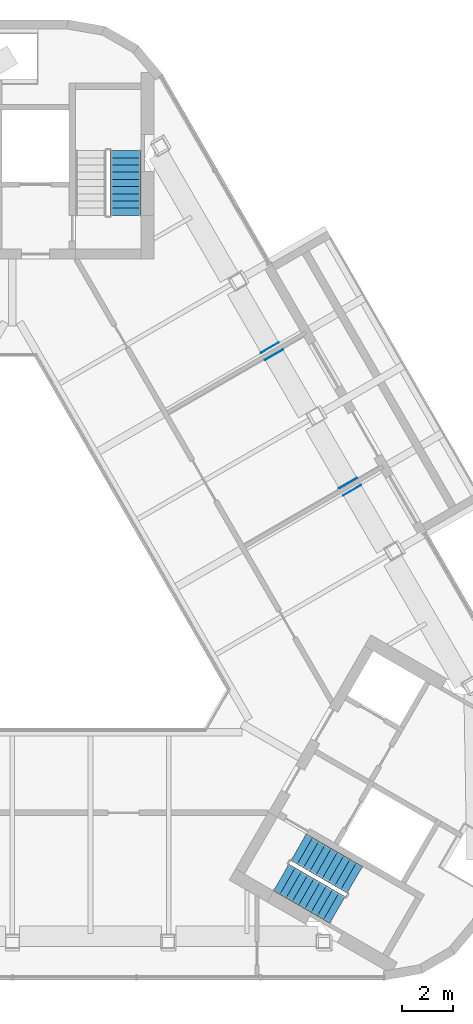
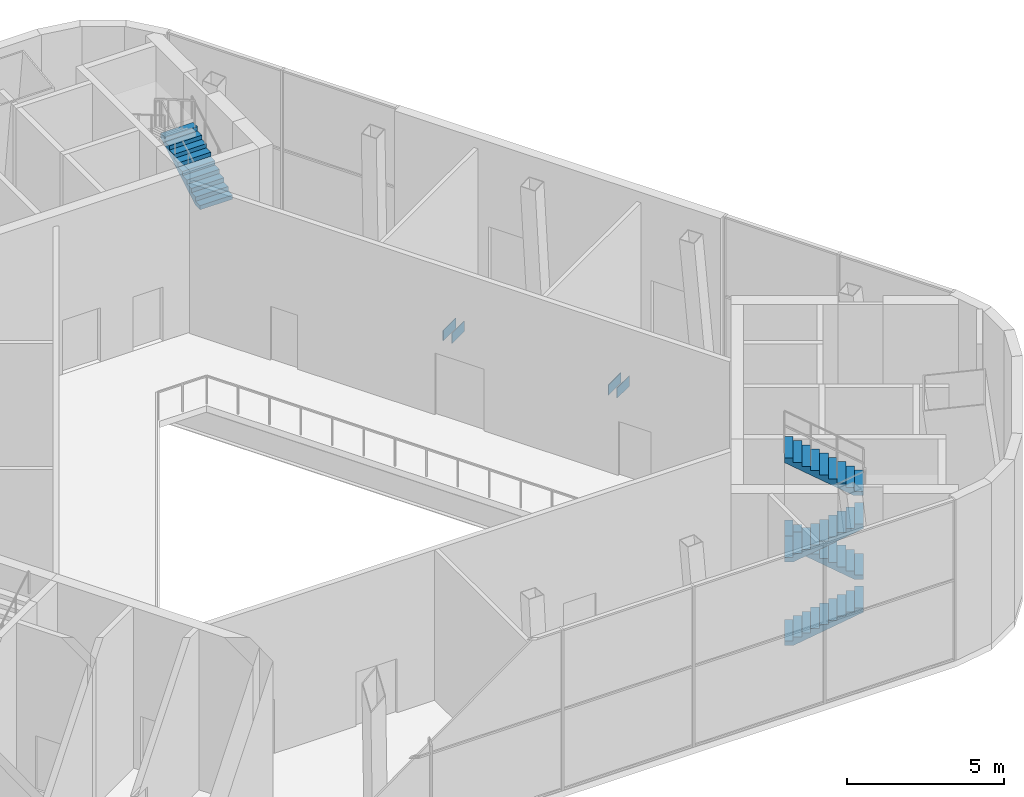
# One storey, part 10 of 12: 5 stair flights, 4 discrete accessories, 2 elements without a shape of their own.
"""IFC4 building model written with IfcOpenShell, lengths in metres."""

import ifcopenshell
import ifcopenshell.guid

model = None  # the IFC model being written
_history = None  # IfcOwnerHistory: only IFC2X3 demands one
_inside = {}  # id of a spatial element -> (the spatial element, [elements in it])
_under = {}  # id of a project, library or spatial element -> (it, [spatial elements below it])
_declared = {}  # id of a project -> (the project, [libraries it declares])
_typed = {}  # id of a type object -> (the type object, [elements of that type])
_made_of = {}  # id of a material, layer set ... -> (it, [elements and type objects made of it])


def new_model(schema):
    """Start an empty IFC model of exactly this schema.

    Asked for "IFC4X3", IfcOpenShell would pick the latest addendum, in which some entities
    have other attributes; the version numbers below select the first issue.
    IFC2X3 requires an IfcOwnerHistory on every rooted entity: one is made here for all.
    """
    global model, _history
    if schema == "IFC4X3":
        model = ifcopenshell.file(schema_version=(4, 3, 0, 0))
    else:
        model = ifcopenshell.file(schema=schema)
    _inside.clear()
    _under.clear()
    _declared.clear()
    _typed.clear()
    _made_of.clear()
    _history = None
    if model.schema == "IFC2X3":
        org = make("IfcOrganization", Name="unknown")
        user = make(
            "IfcPersonAndOrganization",
            ThePerson=make("IfcPerson", FamilyName="unknown"),
            TheOrganization=org,
        )
        app = make(
            "IfcApplication",
            ApplicationDeveloper=org,
            Version="unknown",
            ApplicationFullName="unknown",
            ApplicationIdentifier="unknown",
        )
        _history = make(
            "IfcOwnerHistory",
            OwningUser=user,
            OwningApplication=app,
            ChangeAction="ADDED",
            CreationDate=0,
        )
    return model


def make(cls, **values):
    """One entity of the class cls with the attributes given. An attribute that is None is left unset."""
    return model.create_entity(
        cls, **{name: value for name, value in values.items() if value is not None}
    )


def rooted(cls, **values):
    """An entity with a GlobalId (a new one), such as an element, a storey or a relation."""
    return make(cls, GlobalId=ifcopenshell.guid.new(), OwnerHistory=_history, **values)


def si_unit(unit_type, name, prefix=None):
    """IfcSIUnit, for example si_unit("LENGTHUNIT", "METRE", prefix="MILLI")."""
    return make("IfcSIUnit", UnitType=unit_type, Prefix=prefix, Name=name)


def assignment(units):
    """IfcUnitAssignment: the units of a project."""
    return None if units is None else make("IfcUnitAssignment", Units=units)


def point(xyz):
    """IfcCartesianPoint."""
    return None if xyz is None else make("IfcCartesianPoint", Coordinates=xyz)


def direction(xyz):
    """IfcDirection."""
    return None if xyz is None else make("IfcDirection", DirectionRatios=xyz)


def frame(location, z_axis=None, x_axis=None):
    """IfcAxis2Placement3D, a coordinate frame: its origin and axes. An axis left out is left unset."""
    return make(
        "IfcAxis2Placement3D",
        Location=point(location),
        Axis=direction(z_axis),
        RefDirection=direction(x_axis),
    )


def frame_2d(location, x_axis=None):
    """IfcAxis2Placement2D, a coordinate frame in the plane: its origin and x axis."""
    return make(
        "IfcAxis2Placement2D", Location=point(location), RefDirection=direction(x_axis)
    )


def origin():
    """The frame at (0, 0, 0) with its axes left unset."""
    return frame((0.0, 0.0, 0.0))


def origin_2d():
    """The frame at (0, 0) in the plane with its x axis left unset."""
    return frame_2d((0.0, 0.0))


def place(relative_to, where):
    """IfcLocalPlacement: puts the frame where relative to a parent placement (None: the world)."""
    return make(
        "IfcLocalPlacement", PlacementRelTo=relative_to, RelativePlacement=where
    )


def context(
    kind, dimensions, precision=None, world=None, true_north=None, identifier=None
):
    """IfcGeometricRepresentationContext, for example the 3D "Model" context."""
    return make(
        "IfcGeometricRepresentationContext",
        ContextIdentifier=identifier,
        ContextType=kind,
        CoordinateSpaceDimension=dimensions,
        Precision=precision,
        WorldCoordinateSystem=world,
        TrueNorth=true_north,
    )


def subcontext(parent, identifier, kind, view, scale=None):
    """IfcGeometricRepresentationSubContext, for example "Body" below "Model"."""
    return make(
        "IfcGeometricRepresentationSubContext",
        ContextIdentifier=identifier,
        ContextType=kind,
        ParentContext=parent,
        TargetScale=scale,
        TargetView=view,
    )


def project(units=None, contexts=None):
    """IfcProject with its units and contexts."""
    return rooted(
        "IfcProject",
        Name="project",
        RepresentationContexts=contexts,
        UnitsInContext=assignment(units),
    )


def spatial(cls, under=None, at=None, **own):
    """A site, building, storey or space (cls), placed at a placement, below another one or the project."""
    s = rooted(cls, ObjectPlacement=at, **own)
    if under is not None:
        _under.setdefault(under.id(), (under, []))[1].append(s)
    return s


def polyline(points):
    """IfcPolyline through the points."""
    return make("IfcPolyline", Points=[point(p) for p in points])


def profile(cls, at=None, kind="AREA", **sizes):
    """A parametric profile (cls). Its sizes go by their IFC names, for example OverallWidth=200.0."""
    return make(cls, ProfileType=kind, Position=at, **sizes)


def rectangle(**sizes):
    """IfcRectangleProfileDef."""
    return profile("IfcRectangleProfileDef", **sizes)


def outline(outer, holes=None, kind="AREA"):
    """IfcArbitraryClosedProfileDef: a profile drawn as a closed curve; with holes, ...WithVoids."""
    if holes is None:
        return make("IfcArbitraryClosedProfileDef", ProfileType=kind, OuterCurve=outer)
    return make(
        "IfcArbitraryProfileDefWithVoids",
        ProfileType=kind,
        OuterCurve=outer,
        InnerCurves=holes,
    )


def extrude(swept, where, along, depth):
    """IfcExtrudedAreaSolid: the profile swept, set in the frame where, extruded along a direction by depth."""
    return make(
        "IfcExtrudedAreaSolid",
        SweptArea=swept,
        Position=where,
        ExtrudedDirection=direction(along),
        Depth=depth,
    )


def shape(context_of_items, identifier, shape_type, items):
    """IfcShapeRepresentation: the items that make up one representation, for example the "Body"."""
    return make(
        "IfcShapeRepresentation",
        ContextOfItems=context_of_items,
        RepresentationIdentifier=identifier,
        RepresentationType=shape_type,
        Items=items,
    )


def material(Name=None, Category=None):
    """IfcMaterial."""
    return make("IfcMaterial", Name=Name, Category=Category)


def layer(
    of_material, thickness, ventilated=None, Name=None, Category=None, Priority=None
):
    """IfcMaterialLayer: one layer of a wall or slab, of a material (None: an air gap)."""
    return make(
        "IfcMaterialLayer",
        Material=of_material,
        LayerThickness=thickness,
        IsVentilated=ventilated,
        Name=Name,
        Category=Category,
        Priority=Priority,
    )


def layer_set(layers, Name=None):
    """IfcMaterialLayerSet."""
    return make("IfcMaterialLayerSet", MaterialLayers=layers, LayerSetName=Name)


def made_of(thing, what):
    """Note that an element or type object is made of a material, layer set ...; save() writes the relation."""
    if what is not None:
        _made_of.setdefault(what.id(), (what, []))[1].append(thing)
    return thing


def type_object(cls, material=None, **own):
    """A type object (cls), such as IfcWallType, which elements share."""
    return made_of(rooted(cls, **own), material)


def element(
    cls,
    number,
    at=None,
    inside=None,
    cuts=None,
    type_object=None,
    material=None,
    context=None,
    identifier="Body",
    shape_type=None,
    held_by="IfcProductDefinitionShape",
    body=None,
    shapes=None,
    **own,
):
    """One element of the class cls, such as IfcWall. Its Tag is "e" and its number.

    at: its placement. inside: the storey or other place that contains it. cuts: it is an
    opening in that element (IfcRelVoidsElement). A single representation is given by context,
    identifier, shape_type and body (its items); several are given by shapes. held_by: the class
    of the entity that holds the representations. save() writes the other relations.
    """
    e = rooted(cls, Tag="e%d" % number, ObjectPlacement=at, **own)
    if body is not None:
        shapes = [shape(context, identifier, shape_type, body)]
    if shapes is not None:
        e.Representation = make(held_by, Representations=shapes)
    if inside is not None:
        _inside.setdefault(inside.id(), (inside, []))[1].append(e)
    if cuts is not None:
        rooted(
            "IfcRelVoidsElement", RelatingBuildingElement=cuts, RelatedOpeningElement=e
        )
    if type_object is not None:
        _typed.setdefault(type_object.id(), (type_object, []))[1].append(e)
    return made_of(e, material)


def aggregate(whole, parts):
    """IfcRelAggregates: a whole, such as a stair, and the parts it consists of."""
    return rooted("IfcRelAggregates", RelatingObject=whole, RelatedObjects=parts)


def save(model, path):
    """Write the relations noted so far, then the file.

    IfcRelAggregates (storeys below a building ...), IfcRelContainedInSpatialStructure (elements
    in a storey), IfcRelDefinesByType, IfcRelAssociatesMaterial and IfcRelDeclares: one each for
    every whole, place, type object, material and project.
    """
    for whole, parts in _under.values():
        aggregate(whole, parts)
    for where, things in _inside.values():
        rooted(
            "IfcRelContainedInSpatialStructure",
            RelatedElements=things,
            RelatingStructure=where,
        )
    for kind, things in _typed.values():
        rooted("IfcRelDefinesByType", RelatedObjects=things, RelatingType=kind)
    for what, things in _made_of.values():
        rooted("IfcRelAssociatesMaterial", RelatedObjects=things, RelatingMaterial=what)
    for by, libraries in _declared.values():
        rooted("IfcRelDeclares", RelatingContext=by, RelatedDefinitions=libraries)
    model.write(path)


model = new_model("IFC4")

# Units and contexts
model_context = context("Model", 3, precision=1e-05, world=origin(), true_north=direction((0.0, 1.0)))
body_context = subcontext(model_context, "Body", "Model", "MODEL_VIEW")
ifc_project = project(units=[si_unit("LENGTHUNIT", "METRE"), si_unit("AREAUNIT", "SQUARE_METRE"), si_unit("VOLUMEUNIT", "CUBIC_METRE"), si_unit("PLANEANGLEUNIT", "RADIAN"), si_unit("MASSUNIT", "GRAM", prefix="KILO")], contexts=[model_context])

# Site, building, storey
site_placement = place(None, origin())
site = spatial("IfcSite", under=ifc_project, at=site_placement, CompositionType="ELEMENT")
building_placement = place(site_placement, origin())
building = spatial("IfcBuilding", under=site, at=building_placement, Name="Apuvela Tower Hotel", CompositionType="ELEMENT")
storey_placement = place(building_placement, frame((0.0, 0.0, 331.800048828125)))
storey = spatial("IfcBuildingStorey", under=building, at=storey_placement, Name="L83", CompositionType="ELEMENT", Elevation=331.800048828125)

# Stair, stair flight
ifc_material_1 = material(Name="Concrete C50/60", Category="concrete")
stair_type = type_object("IfcStairType", Name="COR-STAIR-40R", PredefinedType="HALF_TURN_STAIR", material=ifc_material_1)
stair_1_placement = place(storey_placement, origin())
stair_1 = element("IfcStair", 1, at=stair_1_placement, inside=storey, type_object=stair_type, Name="L83 Exit stair ST1", PredefinedType="HALF_TURN_STAIR")
stair_flight_type = type_object("IfcStairFlightType", Name="COR-FLIGHT-10R", PredefinedType="STRAIGHT", material=ifc_material_1)
stair_flight_1_placement = place(storey_placement, frame((4.39990234375, 14.60009765625, 3.25), z_axis=(0.0, 0.0, 1.0), x_axis=(0.0, 1.0, 0.0)))
stair_flight_1 = element("IfcStairFlight", 2, at=stair_flight_1_placement, type_object=stair_flight_type, Name="ST1 flight 3", NumberOfRisers=10, NumberOfTreads=9, PredefinedType="STRAIGHT", RiserHeight=0.1625, TreadLength=0.28, context=body_context, shape_type="SweptSolid", body=[
    extrude(outline(polyline([(0.0, 0.0), (0.0, 0.16259765625), (0.280029296875, 0.16259765625), (0.280029296875, 0.324951171875), (0.56005859375, 0.324951171875), (0.56005859375, 0.487548828125), (0.840087890625, 0.487548828125), (0.840087890625, 0.64990234375), (1.1201171875, 0.64990234375), (1.1201171875, 0.8125), (1.39990234375, 0.8125), (1.39990234375, 0.97509765625), (1.679931640625, 0.97509765625), (1.679931640625, 1.137451171875), (1.9599609375, 1.137451171875), (1.9599609375, 1.300048828125), (2.239990234375, 1.300048828125), (2.239990234375, 1.46240234375), (2.52001953125, 1.46240234375), (2.52001953125, 1.625), (2.52001953125, 1.2890625), (0.298583984375, 0.0), (0.0, 0.0)])), frame((0.0, 0.60009765625, 0.0), z_axis=(0.0, -1.0, 0.0), x_axis=(1.0, 0.0, 0.0)), (0.0, 0.0, 1.0), 1.199951171875),
])
aggregate(stair_1, [stair_flight_1])

# Stair, stair flights
stair_2_placement = place(storey_placement, origin())
stair_2 = element("IfcStair", 3, at=stair_2_placement, inside=storey, type_object=stair_type, Name="L83 Exit stair ST3", PredefinedType="HALF_TURN_STAIR")
stair_flight_2_placement = place(storey_placement, frame((10.444091796875, -11.110595703125, 0.0), z_axis=(0.0, 0.0, 1.0), x_axis=(0.866025403784, -0.5, 0.0)))
stair_flight_2 = element("IfcStairFlight", 4, at=stair_flight_2_placement, type_object=stair_flight_type, Name="ST3 flight 1", NumberOfRisers=10, NumberOfTreads=9, PredefinedType="STRAIGHT", RiserHeight=0.1625, TreadLength=0.28, context=body_context, shape_type="SweptSolid", body=[
    extrude(outline(polyline([(0.0, 0.0), (0.0, 0.16259765625), (0.280029296875, 0.16259765625), (0.280029296875, 0.324951171875), (0.56005859375, 0.324951171875), (0.56005859375, 0.487548828125), (0.840087890625, 0.487548828125), (0.840087890625, 0.64990234375), (1.1201171875, 0.64990234375), (1.1201171875, 0.8125), (1.39990234375, 0.8125), (1.39990234375, 0.97509765625), (1.679931640625, 0.97509765625), (1.679931640625, 1.137451171875), (1.9599609375, 1.137451171875), (1.9599609375, 1.300048828125), (2.239990234375, 1.300048828125), (2.239990234375, 1.46240234375), (2.52001953125, 1.46240234375), (2.52001953125, 1.625), (2.52001953125, 1.2890625), (0.298583984375, 0.0), (0.0, 0.0)])), frame((0.0, 0.60009765625, 0.0), z_axis=(0.0, -1.0, 0.0), x_axis=(1.0, 0.0, 0.0)), (0.0, 0.0, 1.0), 1.199951171875),
])
stair_flight_3_placement = place(storey_placement, frame((13.30126953125, -11.201416015625, 1.625), z_axis=(0.0, 0.0, 1.0), x_axis=(-0.866025403784, 0.5, 0.0)))
stair_flight_3 = element("IfcStairFlight", 5, at=stair_flight_3_placement, type_object=stair_flight_type, Name="ST3 flight 2", NumberOfRisers=10, NumberOfTreads=9, PredefinedType="STRAIGHT", RiserHeight=0.1625, TreadLength=0.28, context=body_context, shape_type="SweptSolid", body=[
    extrude(outline(polyline([(0.0, 0.0), (0.0, 0.16259765625), (0.280029296875, 0.16259765625), (0.280029296875, 0.324951171875), (0.56005859375, 0.324951171875), (0.56005859375, 0.487548828125), (0.840087890625, 0.487548828125), (0.840087890625, 0.64990234375), (1.1201171875, 0.64990234375), (1.1201171875, 0.8125), (1.39990234375, 0.8125), (1.39990234375, 0.97509765625), (1.679931640625, 0.97509765625), (1.679931640625, 1.137451171875), (1.9599609375, 1.137451171875), (1.9599609375, 1.300048828125), (2.239990234375, 1.300048828125), (2.239990234375, 1.46240234375), (2.52001953125, 1.46240234375), (2.52001953125, 1.625), (2.52001953125, 1.2890625), (0.298583984375, 0.0), (0.0, 0.0)])), frame((0.0, 0.60009765625, 0.0), z_axis=(0.0, -1.0, 0.0), x_axis=(1.0, 0.0, 0.0)), (0.0, 0.0, 1.0), 1.199951171875),
])
stair_flight_4_placement = place(storey_placement, frame((10.444091796875, -11.110595703125, 3.25), z_axis=(0.0, 0.0, 1.0), x_axis=(0.866025403784, -0.5, 0.0)))
stair_flight_4 = element("IfcStairFlight", 6, at=stair_flight_4_placement, type_object=stair_flight_type, Name="ST3 flight 3", NumberOfRisers=10, NumberOfTreads=9, PredefinedType="STRAIGHT", RiserHeight=0.1625, TreadLength=0.28, context=body_context, shape_type="SweptSolid", body=[
    extrude(outline(polyline([(0.0, 0.0), (0.0, 0.16259765625), (0.280029296875, 0.16259765625), (0.280029296875, 0.324951171875), (0.56005859375, 0.324951171875), (0.56005859375, 0.487548828125), (0.840087890625, 0.487548828125), (0.840087890625, 0.64990234375), (1.1201171875, 0.64990234375), (1.1201171875, 0.8125), (1.39990234375, 0.8125), (1.39990234375, 0.97509765625), (1.679931640625, 0.97509765625), (1.679931640625, 1.137451171875), (1.9599609375, 1.137451171875), (1.9599609375, 1.300048828125), (2.239990234375, 1.300048828125), (2.239990234375, 1.46240234375), (2.52001953125, 1.46240234375), (2.52001953125, 1.625), (2.52001953125, 1.2890625), (0.298583984375, 0.0), (0.0, 0.0)])), frame((0.0, 0.60009765625, 0.0), z_axis=(0.0, -1.0, 0.0), x_axis=(1.0, 0.0, 0.0)), (0.0, 0.0, 1.0), 1.199951171875),
])
stair_flight_5_placement = place(storey_placement, frame((13.30126953125, -11.201416015625, 4.875), z_axis=(0.0, 0.0, 1.0), x_axis=(-0.866025403784, 0.5, 0.0)))
stair_flight_5 = element("IfcStairFlight", 7, at=stair_flight_5_placement, type_object=stair_flight_type, Name="ST3 flight 4", NumberOfRisers=10, NumberOfTreads=9, PredefinedType="STRAIGHT", RiserHeight=0.1625, TreadLength=0.28, context=body_context, shape_type="SweptSolid", body=[
    extrude(outline(polyline([(0.0, 0.0), (0.0, 0.16259765625), (0.280029296875, 0.16259765625), (0.280029296875, 0.324951171875), (0.56005859375, 0.324951171875), (0.56005859375, 0.487548828125), (0.840087890625, 0.487548828125), (0.840087890625, 0.64990234375), (1.1201171875, 0.64990234375), (1.1201171875, 0.8125), (1.39990234375, 0.8125), (1.39990234375, 0.97509765625), (1.679931640625, 0.97509765625), (1.679931640625, 1.137451171875), (1.9599609375, 1.137451171875), (1.9599609375, 1.300048828125), (2.239990234375, 1.300048828125), (2.239990234375, 1.46240234375), (2.52001953125, 1.46240234375), (2.52001953125, 1.625), (2.52001953125, 1.2890625), (0.298583984375, 0.0), (0.0, 0.0)])), frame((0.0, 0.60009765625, 0.0), z_axis=(0.0, -1.0, 0.0), x_axis=(1.0, 0.0, 0.0)), (0.0, 0.0, 1.0), 1.199951171875),
])
aggregate(stair_2, [stair_flight_2, stair_flight_3, stair_flight_4, stair_flight_5])

# Discrete accessories
ifc_material_2 = material(Name="Steel S355", Category="steel")
ifc_layer = layer(ifc_material_2, 0.02001953125)
ifc_layer_set = layer_set([ifc_layer], Name="STR-EP end plate 20")
discrete_accessory_type = type_object("IfcDiscreteAccessoryType", Name="STR-EP end plate 20", PredefinedType="BRACKET", material=ifc_layer_set)
for number, where, z_axis, x_axis, name in (
    (8, (13.197509765625, 3.927978515625, -0.64990234375), (0.0, 0.0, 1.0), (-0.5, 0.866025403784, 0.0), "End plate EP ring beam"),
    (9, (13.03759765625, 4.205078125, -0.64990234375), (0.0, 0.0, 1.0), (-0.5, 0.866025403784, 0.0), "End plate EP ring beam"),
    (10, (10.160400390625, 9.188232421875, -0.64990234375), (0.0, 0.0, 1.0), (-0.5, 0.866025403784, 0.0), "End plate EP ring beam"),
    (11, (10.00048828125, 9.46533203125, -0.64990234375), (0.0, 0.0, 1.0), (-0.5, 0.866025403784, 0.0), "End plate EP ring beam"),
):
    element("IfcDiscreteAccessory", number, at=place(storey_placement, frame(where, z_axis=z_axis, x_axis=x_axis)), inside=storey, type_object=discrete_accessory_type, Name=name, PredefinedType="BRACKET", context=body_context, shape_type="SweptSolid", body=[
        extrude(rectangle(XDim=0.02001953125, YDim=0.800048828125, at=origin_2d()), origin(), (0.0, 0.0, 1.0), 0.39990234375),
    ])

save(model, "model.ifc")
